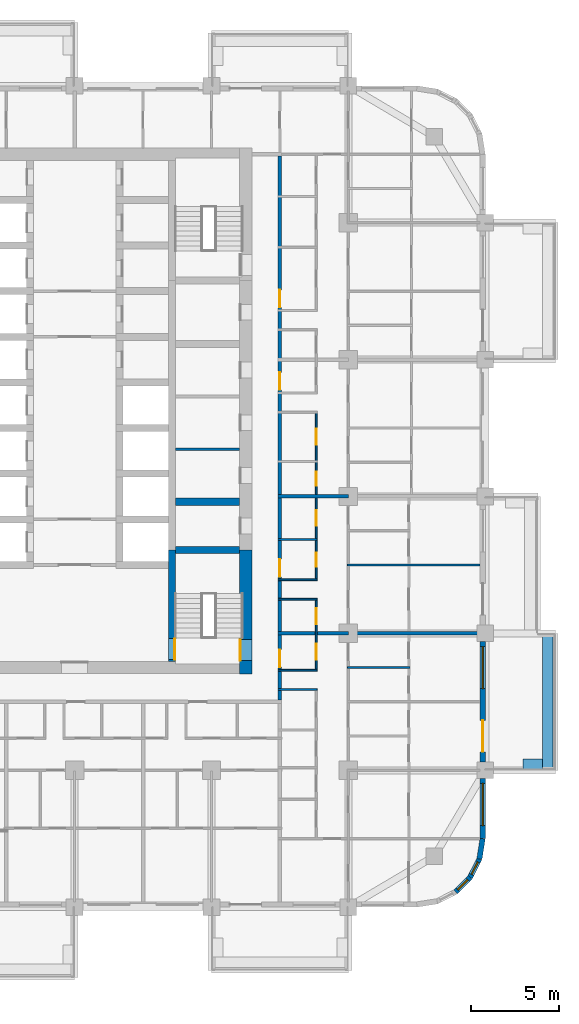
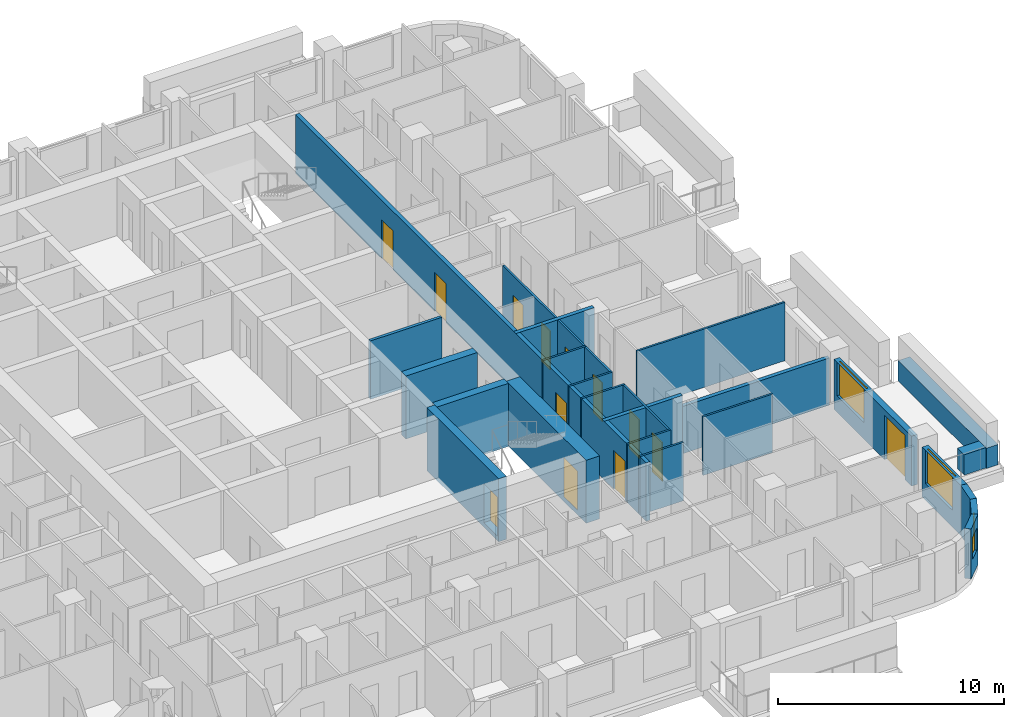
# One storey, part 8 of 18: 25 walls, 13 doors, 4 windows, 17 openings.
"""IFC4 building model written with IfcOpenShell, lengths in metres."""

from ifc_helpers import new_model, si_unit, direction, frame, frame_2d, origin, place, context, subcontext, project, spatial, rectangle, extrude, material, layer, layer_set, type_object, element, fill, save


model = new_model("IFC4")

# Units and contexts
model_context = context("Model", 3, precision=1e-05, world=origin(), true_north=direction((0.0, 1.0)))
body_context = subcontext(model_context, "Body", "Model", "MODEL_VIEW")
ifc_project = project(units=[si_unit("LENGTHUNIT", "METRE"), si_unit("AREAUNIT", "SQUARE_METRE"), si_unit("VOLUMEUNIT", "CUBIC_METRE"), si_unit("PLANEANGLEUNIT", "RADIAN"), si_unit("MASSUNIT", "GRAM", prefix="KILO")], contexts=[model_context])

# Site, building, storey
site_placement = place(None, origin())
site = spatial("IfcSite", under=ifc_project, at=site_placement, CompositionType="ELEMENT")
building_placement = place(site_placement, origin())
building = spatial("IfcBuilding", under=site, at=building_placement, Name="Ludao Terraces", CompositionType="ELEMENT")
storey_placement = place(building_placement, frame((0.0, 0.0, 64.800048828125)))
storey = spatial("IfcBuildingStorey", under=building, at=storey_placement, Name="L17", CompositionType="ELEMENT", Elevation=64.800048828125)

# Wall, opening, door
ifc_material_1 = material(Name="Concrete C70", Category="concrete")
ifc_layer_1 = layer(ifc_material_1, 0.699951171875)
ifc_layer_set_1 = layer_set([ifc_layer_1], Name="Core wall 700 C70")
wall_type_1 = type_object("IfcWallType", Name="Core wall 700 C70", PredefinedType="SOLIDWALL", material=ifc_layer_set_1)
wall_1_placement = place(storey_placement, frame((94.75, 54.89990234375, -0.25), z_axis=(0.0, 0.0, 1.0), x_axis=(0.0, 1.0, 0.0)))
wall_1 = element("IfcWall", 1, at=wall_1_placement, inside=storey, type_object=wall_type_1, Name="Core wall L17 outer-E-S3", PredefinedType="SOLIDWALL", context=body_context, shape_type="SweptSolid", body=[
    extrude(rectangle(XDim=7.050048828125, YDim=0.699951171875, at=frame_2d((3.52490234375, 0.0))), origin(), (0.0, 0.0, 1.0), 3.39990234375),
])
opening_1_placement = place(wall_1_placement, frame((0.75, 0.0, 0.25)))
opening_1 = element("IfcOpeningElement", 2, at=opening_1_placement, cuts=wall_1, Name="Opening R05-062", PredefinedType="OPENING", context=body_context, shape_type="SweptSolid", body=[
    extrude(rectangle(XDim=1.199951171875, YDim=2.10009765625, at=frame_2d((0.60009765625, 1.050048828125))), frame((0.0, 0.35986328125, 0.0), z_axis=(0.0, -1.0, 0.0), x_axis=(1.0, 0.0, 0.0)), (0.0, 0.0, 1.0), 0.719970703125),
])
ifc_material_2 = material(Name="Steel Q235", Category="steel")
door_type_1 = type_object("IfcDoorType", Name="INT Stair door 1200", OperationType="DOUBLE_DOOR_SINGLE_SWING", PredefinedType="DOOR", material=ifc_material_2)
door_1_placement = place(opening_1_placement, origin())
door_1 = element("IfcDoor", 3, at=door_1_placement, inside=storey, type_object=door_type_1, Name="DOOR 062", OperationType="DOUBLE_DOOR_SINGLE_SWING", OverallHeight=2.10009765625, OverallWidth=1.199951171875, PredefinedType="DOOR", context=body_context, shape_type="SweptSolid", body=[
    extrude(rectangle(XDim=1.199951171875, YDim=2.10009765625, at=frame_2d((0.60009765625, 1.050048828125))), frame((0.0, 0.3349609375, 0.0), z_axis=(0.0, -1.0, 0.0), x_axis=(1.0, 0.0, 0.0)), (0.0, 0.0, 1.0), 0.050048828125),
])
fill(opening_1, door_1)

# Walls
ifc_material_3 = material(Name="Concrete C40", Category="concrete")
ifc_layer_2 = layer(ifc_material_3, 0.60009765625)
ifc_layer_set_2 = layer_set([ifc_layer_2], Name="ENV Planter trough 600")
wall_type_2 = type_object("IfcWallType", Name="ENV Planter trough 600", PredefinedType="USERDEFINED", material=ifc_layer_set_2)
wall_2_placement = place(storey_placement, frame((111.949951171875, 49.39990234375, 0.0), z_axis=(0.0, 0.0, 1.0), x_axis=(0.0, 1.0, 0.0)))
element("IfcWall", 4, at=wall_2_placement, inside=storey, type_object=wall_type_2, Name="PL-L17-E1", ObjectType="PLANTER", PredefinedType="USERDEFINED", context=body_context, shape_type="SweptSolid", body=[
    extrude(rectangle(XDim=7.800048828125, YDim=0.60009765625, at=frame_2d((3.89990234375, 0.0))), origin(), (0.0, 0.0, 1.0), 1.099853515625),
])
wall_3_placement = place(storey_placement, frame((111.64990234375, 49.75, 0.0), z_axis=(0.0, 0.0, 1.0), x_axis=(-1.0, 0.0, 0.0)))
element("IfcWall", 5, at=wall_3_placement, inside=storey, type_object=wall_type_2, Name="PL-L17-E1-SA", ObjectType="PLANTER", PredefinedType="USERDEFINED", context=body_context, shape_type="SweptSolid", body=[
    extrude(rectangle(XDim=1.099853515625, YDim=0.60009765625, at=frame_2d((0.5498046875, 0.0))), origin(), (0.0, 0.0, 1.0), 1.099853515625),
])

# Wall, opening, window
ifc_material_4 = material(Name="Granite cladding", Category="masonry")
ifc_layer_3 = layer(ifc_material_4, 0.0400390625, Category="stone")
ifc_material_5 = material(Name="Mineral wool")
ifc_layer_4 = layer(ifc_material_5, 0.06005859375)
ifc_layer_5 = layer(ifc_material_3, 0.199951171875, Category="concrete")
ifc_layer_set_3 = layer_set([ifc_layer_3, ifc_layer_4, ifc_layer_5], Name="ENV Stone-clad wall 300")
wall_type_3 = type_object("IfcWallType", Name="ENV Stone-clad wall 300", PredefinedType="SOLIDWALL", material=ifc_layer_set_3)
wall_4_placement = place(storey_placement, frame((108.25, 45.5, 0.0), z_axis=(0.0, 0.0, 1.0), x_axis=(0.0, 1.0, 0.0)))
wall_4 = element("IfcWall", 6, at=wall_4_placement, inside=storey, type_object=wall_type_3, Name="EW-L17-E1", PredefinedType="SOLIDWALL", context=body_context, shape_type="SweptSolid", body=[
    extrude(rectangle(XDim=3.425048828125, YDim=0.300048828125, at=frame_2d((1.71240234375, 0.0))), origin(), (0.0, 0.0, 1.0), 2.699951171875),
])
opening_2_placement = place(wall_4_placement, frame((0.75, 0.0, 0.89990234375)))
opening_2 = element("IfcOpeningElement", 7, at=opening_2_placement, cuts=wall_4, Name="Opening W1", PredefinedType="OPENING", context=body_context, shape_type="SweptSolid", body=[
    extrude(rectangle(XDim=2.39990234375, YDim=1.800048828125, at=frame_2d((1.199951171875, 0.89990234375))), frame((0.0, 0.16015625, 0.0), z_axis=(0.0, -1.0, 0.0), x_axis=(1.0, 0.0, 0.0)), (0.0, 0.0, 1.0), 0.320068359375),
])
ifc_material_6 = material(Name="Clear glass in aluminium frame", Category="aluminium")
ifc_layer_6 = layer(ifc_material_6, 0.06005859375)
ifc_layer_set_4 = layer_set([ifc_layer_6], Name="ENV Window W1 2400x1800")
window_type_1 = type_object("IfcWindowType", Name="ENV Window W1 2400x1800", PartitioningType="DOUBLE_PANEL_VERTICAL", PredefinedType="WINDOW", material=ifc_layer_set_4)
window_1_placement = place(opening_2_placement, origin())
window_1 = element("IfcWindow", 8, at=window_1_placement, inside=storey, type_object=window_type_1, Name="W-L17-E1-1", OverallHeight=1.800048828125, OverallWidth=2.39990234375, PartitioningType="DOUBLE_PANEL_VERTICAL", PredefinedType="WINDOW", context=body_context, shape_type="SweptSolid", body=[
    extrude(rectangle(XDim=2.39990234375, YDim=1.800048828125, at=frame_2d((1.199951171875, 0.89990234375))), frame((0.0, 0.030029296875, 0.0), z_axis=(0.0, -1.0, 0.0), x_axis=(1.0, 0.0, 0.0)), (0.0, 0.0, 1.0), 0.06005859375),
])
fill(opening_2, window_1)

# Wall, openings, door, window
wall_5_placement = place(storey_placement, frame((108.25, 49.875, 0.0), z_axis=(0.0, 0.0, 1.0), x_axis=(0.0, 1.0, 0.0)))
wall_5 = element("IfcWall", 9, at=wall_5_placement, inside=storey, type_object=wall_type_3, Name="EW-L17-E2", PredefinedType="SOLIDWALL", context=body_context, shape_type="SweptSolid", body=[
    extrude(rectangle(XDim=6.85009765625, YDim=0.300048828125, at=frame_2d((3.425048828125, 0.0))), origin(), (0.0, 0.0, 1.0), 2.699951171875),
])
opening_3_placement = place(wall_5_placement, frame((0.574951171875, 0.0, 0.0)))
opening_3 = element("IfcOpeningElement", 10, at=opening_3_placement, cuts=wall_5, Name="Opening BD", PredefinedType="OPENING", context=body_context, shape_type="SweptSolid", body=[
    extrude(rectangle(XDim=1.800048828125, YDim=2.39990234375, at=frame_2d((0.89990234375, 1.199951171875))), frame((0.0, 0.16015625, 0.0), z_axis=(0.0, -1.0, 0.0), x_axis=(1.0, 0.0, 0.0)), (0.0, 0.0, 1.0), 0.320068359375),
])
opening_4_placement = place(wall_5_placement, frame((4.175048828125, 0.0, 0.89990234375)))
opening_4 = element("IfcOpeningElement", 11, at=opening_4_placement, cuts=wall_5, Name="Opening W1", PredefinedType="OPENING", context=body_context, shape_type="SweptSolid", body=[
    extrude(rectangle(XDim=2.39990234375, YDim=1.800048828125, at=frame_2d((1.199951171875, 0.89990234375))), frame((0.0, 0.16015625, 0.0), z_axis=(0.0, -1.0, 0.0), x_axis=(1.0, 0.0, 0.0)), (0.0, 0.0, 1.0), 0.320068359375),
])
ifc_material_7 = material(Name="Aluminium glazed door", Category="aluminium")
ifc_layer_7 = layer(ifc_material_7, 0.06005859375)
ifc_layer_set_5 = layer_set([ifc_layer_7], Name="ENV Balcony door BD 1800x2400")
door_type_2 = type_object("IfcDoorType", Name="ENV Balcony door BD 1800x2400", OperationType="DOUBLE_DOOR_SINGLE_SWING", PredefinedType="DOOR", material=ifc_layer_set_5)
door_2_placement = place(opening_3_placement, origin())
door_2 = element("IfcDoor", 12, at=door_2_placement, inside=storey, type_object=door_type_2, Name="BD-L17-E2-1", OperationType="DOUBLE_DOOR_SINGLE_SWING", OverallHeight=2.39990234375, OverallWidth=1.800048828125, PredefinedType="DOOR", context=body_context, shape_type="SweptSolid", body=[
    extrude(rectangle(XDim=1.800048828125, YDim=2.39990234375, at=frame_2d((0.89990234375, 1.199951171875))), frame((0.0, 0.02490234375, 0.0), z_axis=(0.0, -1.0, 0.0), x_axis=(1.0, 0.0, 0.0)), (0.0, 0.0, 1.0), 0.050048828125),
])
fill(opening_3, door_2)
window_2_placement = place(opening_4_placement, origin())
window_2 = element("IfcWindow", 13, at=window_2_placement, inside=storey, type_object=window_type_1, Name="W-L17-E2-2", OverallHeight=1.800048828125, OverallWidth=2.39990234375, PartitioningType="DOUBLE_PANEL_VERTICAL", PredefinedType="WINDOW", context=body_context, shape_type="SweptSolid", body=[
    extrude(rectangle(XDim=2.39990234375, YDim=1.800048828125, at=frame_2d((1.199951171875, 0.89990234375))), frame((0.0, 0.030029296875, 0.0), z_axis=(0.0, -1.0, 0.0), x_axis=(1.0, 0.0, 0.0)), (0.0, 0.0, 1.0), 0.06005859375),
])
fill(opening_4, window_2)

# Wall, opening, window
wall_6_placement = place(storey_placement, frame((106.7041015625, 42.46630859375, 0.0), z_axis=(0.0, 0.0, 1.0), x_axis=(0.707106781187, 0.707106781187, 0.0)))
wall_6 = element("IfcWall", 14, at=wall_6_placement, inside=storey, type_object=wall_type_3, Name="EW-L17-SE3", PredefinedType="SOLIDWALL", context=body_context, shape_type="SweptSolid", body=[
    extrude(rectangle(XDim=1.173095703125, YDim=0.300048828125, at=frame_2d((0.58642578125, 0.0))), origin(), (0.0, 0.0, 1.0), 2.699951171875),
])
opening_5_placement = place(wall_6_placement, frame((0.1865234375, 0.0, 0.89990234375)))
opening_5 = element("IfcOpeningElement", 15, at=opening_5_placement, cuts=wall_6, Name="Opening W3", PredefinedType="OPENING", context=body_context, shape_type="SweptSolid", body=[
    extrude(rectangle(XDim=0.800048828125, YDim=1.199951171875, at=frame_2d((0.39990234375, 0.60009765625))), frame((0.0, 0.16015625, 0.0), z_axis=(0.0, -1.0, 0.0), x_axis=(1.0, 0.0, 0.0)), (0.0, 0.0, 1.0), 0.320068359375),
])
ifc_layer_8 = layer(ifc_material_6, 0.06005859375)
ifc_layer_set_6 = layer_set([ifc_layer_8], Name="ENV Window W3 800x1200")
window_type_2 = type_object("IfcWindowType", Name="ENV Window W3 800x1200", PartitioningType="SINGLE_PANEL", PredefinedType="WINDOW", material=ifc_layer_set_6)
window_3_placement = place(opening_5_placement, origin())
window_3 = element("IfcWindow", 16, at=window_3_placement, inside=storey, type_object=window_type_2, Name="W-L17-SE3", OverallHeight=1.199951171875, OverallWidth=0.800048828125, PartitioningType="SINGLE_PANEL", PredefinedType="WINDOW", context=body_context, shape_type="SweptSolid", body=[
    extrude(rectangle(XDim=0.800048828125, YDim=1.199951171875, at=frame_2d((0.39990234375, 0.60009765625))), frame((0.0, 0.030029296875, 0.0), z_axis=(0.0, -1.0, 0.0), x_axis=(1.0, 0.0, 0.0)), (0.0, 0.0, 1.0), 0.06005859375),
])
fill(opening_5, window_3)

wall_7_placement = place(storey_placement, frame((107.53369140625, 43.2958984375, 0.0), z_axis=(0.0, 0.0, 1.0), x_axis=(0.454025524128, 0.890988677504, 0.0)))
wall_7 = element("IfcWall", 17, at=wall_7_placement, inside=storey, type_object=wall_type_3, Name="EW-L17-SE4", PredefinedType="SOLIDWALL", context=body_context, shape_type="SweptSolid", body=[
    extrude(rectangle(XDim=1.17333984375, YDim=0.300048828125, at=frame_2d((0.586669921875, 0.0))), origin(), (0.0, 0.0, 1.0), 2.699951171875),
])
opening_6_placement = place(wall_7_placement, frame((0.1865234375, 0.0, 0.89990234375)))
opening_6 = element("IfcOpeningElement", 18, at=opening_6_placement, cuts=wall_7, Name="Opening W3", PredefinedType="OPENING", context=body_context, shape_type="SweptSolid", body=[
    extrude(rectangle(XDim=0.800048828125, YDim=1.199951171875, at=frame_2d((0.39990234375, 0.60009765625))), frame((0.0, 0.16015625, 0.0), z_axis=(0.0, -1.0, 0.0), x_axis=(1.0, 0.0, 0.0)), (0.0, 0.0, 1.0), 0.320068359375),
])
window_4_placement = place(opening_6_placement, origin())
window_4 = element("IfcWindow", 19, at=window_4_placement, inside=storey, type_object=window_type_2, Name="W-L17-SE4", OverallHeight=1.199951171875, OverallWidth=0.800048828125, PartitioningType="SINGLE_PANEL", PredefinedType="WINDOW", context=body_context, shape_type="SweptSolid", body=[
    extrude(rectangle(XDim=0.800048828125, YDim=1.199951171875, at=frame_2d((0.39990234375, 0.60009765625))), frame((0.0, 0.030029296875, 0.0), z_axis=(0.0, -1.0, 0.0), x_axis=(1.0, 0.0, 0.0)), (0.0, 0.0, 1.0), 0.06005859375),
])
fill(opening_6, window_4)

# Walls
wall_8_placement = place(storey_placement, frame((108.06640625, 44.34130859375, 0.0), z_axis=(0.0, 0.0, 1.0), x_axis=(0.156496880861, 0.987678452879, 0.0)))
element("IfcWall", 20, at=wall_8_placement, inside=storey, type_object=wall_type_3, Name="EW-L17-SE5", PredefinedType="SOLIDWALL", context=body_context, shape_type="SweptSolid", body=[
    extrude(rectangle(XDim=1.173095703125, YDim=0.300048828125, at=frame_2d((0.58642578125, 0.0))), origin(), (0.0, 0.0, 1.0), 2.699951171875),
])
ifc_material_8 = material(Name="Fire-rated gypsum plasterboard", Category="gypsum")
ifc_layer_9 = layer(ifc_material_8, 0.012451171875, Category="gypsum")
ifc_layer_10 = layer(ifc_material_5, 0.10009765625, Name="insulation")
ifc_layer_11 = layer(ifc_material_2, 0.02490234375, Name="stud")
ifc_layer_12 = layer(ifc_material_8, 0.012451171875, Category="gypsum")
ifc_layer_set_7 = layer_set([ifc_layer_9, ifc_layer_10, ifc_layer_11, ifc_layer_12], Name="INT Core partition 150")
wall_type_4 = type_object("IfcWallType", Name="INT Core partition 150", PredefinedType="PARTITIONING", material=ifc_layer_set_7)
wall_9_placement = place(storey_placement, frame((90.75, 67.699951171875, 0.0), z_axis=(0.0, 0.0, 1.0), x_axis=(1.0, 0.0, 0.0)))
element("IfcWall", 21, at=wall_9_placement, inside=storey, type_object=wall_type_4, Name="PW-L17-PW048", PredefinedType="PARTITIONING", context=body_context, shape_type="SweptSolid", body=[
    extrude(rectangle(XDim=3.650146484375, YDim=0.14990234375, at=frame_2d((1.8251953125, 0.0))), origin(), (0.0, 0.0, 1.0), 3.14990234375),
])

# Wall, openings, doors
ifc_material_9 = material(Name="Autoclaved aerated concrete block B06 A3.5", Category="concrete")
ifc_layer_13 = layer(ifc_material_9, 0.199951171875)
ifc_layer_set_8 = layer_set([ifc_layer_13], Name="INT Entrance wall 200")
wall_type_5 = type_object("IfcWallType", Name="INT Entrance wall 200", PredefinedType="PARTITIONING", material=ifc_layer_set_8)
wall_10_placement = place(storey_placement, frame((96.699951171875, 53.400146484375, 0.0), z_axis=(0.0, 0.0, 1.0), x_axis=(0.0, 1.0, 0.0)))
wall_10 = element("IfcWall", 22, at=wall_10_placement, inside=storey, type_object=wall_type_5, Name="PW-L17-PW118", PredefinedType="PARTITIONING", context=body_context, shape_type="SweptSolid", body=[
    extrude(rectangle(XDim=31.0, YDim=0.199951171875, at=frame_2d((15.5, 0.0))), origin(), (0.0, 0.0, 1.0), 3.14990234375),
])
opening_7_placement = place(wall_10_placement, frame((1.875, 0.0, 0.0)))
opening_7 = element("IfcOpeningElement", 23, at=opening_7_placement, cuts=wall_10, Name="Opening R05-055", PredefinedType="OPENING", context=body_context, shape_type="SweptSolid", body=[
    extrude(rectangle(XDim=1.0, YDim=2.10009765625, at=frame_2d((0.5, 1.050048828125))), frame((0.0, 0.10986328125, 0.0), z_axis=(0.0, -1.0, 0.0), x_axis=(1.0, 0.0, 0.0)), (0.0, 0.0, 1.0), 0.219970703125),
])
opening_8_placement = place(wall_10_placement, frame((7.02490234375, 0.0, 0.0)))
opening_8 = element("IfcOpeningElement", 24, at=opening_8_placement, cuts=wall_10, Name="Opening R05-072", PredefinedType="OPENING", context=body_context, shape_type="SweptSolid", body=[
    extrude(rectangle(XDim=1.0, YDim=2.10009765625, at=frame_2d((0.5, 1.050048828125))), frame((0.0, 0.10986328125, 0.0), z_axis=(0.0, -1.0, 0.0), x_axis=(1.0, 0.0, 0.0)), (0.0, 0.0, 1.0), 0.219970703125),
])
opening_9_placement = place(wall_10_placement, frame((17.675048828125, 0.0, 0.0)))
opening_9 = element("IfcOpeningElement", 25, at=opening_9_placement, cuts=wall_10, Name="Opening R05-108", PredefinedType="OPENING", context=body_context, shape_type="SweptSolid", body=[
    extrude(rectangle(XDim=1.0, YDim=2.10009765625, at=frame_2d((0.5, 1.050048828125))), frame((0.0, 0.10986328125, 0.0), z_axis=(0.0, -1.0, 0.0), x_axis=(1.0, 0.0, 0.0)), (0.0, 0.0, 1.0), 0.219970703125),
])
opening_10_placement = place(wall_10_placement, frame((22.375, 0.0, 0.0)))
opening_10 = element("IfcOpeningElement", 26, at=opening_10_placement, cuts=wall_10, Name="Opening R05-129", PredefinedType="OPENING", context=body_context, shape_type="SweptSolid", body=[
    extrude(rectangle(XDim=1.0, YDim=2.10009765625, at=frame_2d((0.5, 1.050048828125))), frame((0.0, 0.10986328125, 0.0), z_axis=(0.0, -1.0, 0.0), x_axis=(1.0, 0.0, 0.0)), (0.0, 0.0, 1.0), 0.219970703125),
])
door_type_3 = type_object("IfcDoorType", Name="INT Flat entrance door 1000", OperationType="SINGLE_SWING_LEFT", PredefinedType="DOOR", material=ifc_material_2)
door_3_placement = place(opening_7_placement, origin())
door_3 = element("IfcDoor", 27, at=door_3_placement, inside=storey, type_object=door_type_3, Name="DOOR 055", OperationType="SINGLE_SWING_LEFT", OverallHeight=2.10009765625, OverallWidth=1.0, PredefinedType="DOOR", context=body_context, shape_type="SweptSolid", body=[
    extrude(rectangle(XDim=1.0, YDim=2.10009765625, at=frame_2d((0.5, 1.050048828125))), frame((0.0, 0.02490234375, 0.0), z_axis=(0.0, -1.0, 0.0), x_axis=(1.0, 0.0, 0.0)), (0.0, 0.0, 1.0), 0.050048828125),
])
fill(opening_7, door_3)
door_4_placement = place(opening_8_placement, origin())
door_4 = element("IfcDoor", 28, at=door_4_placement, inside=storey, type_object=door_type_3, Name="DOOR 072", OperationType="SINGLE_SWING_LEFT", OverallHeight=2.10009765625, OverallWidth=1.0, PredefinedType="DOOR", context=body_context, shape_type="SweptSolid", body=[
    extrude(rectangle(XDim=1.0, YDim=2.10009765625, at=frame_2d((0.5, 1.050048828125))), frame((0.0, 0.02490234375, 0.0), z_axis=(0.0, -1.0, 0.0), x_axis=(1.0, 0.0, 0.0)), (0.0, 0.0, 1.0), 0.050048828125),
])
fill(opening_8, door_4)
door_5_placement = place(opening_9_placement, origin())
door_5 = element("IfcDoor", 29, at=door_5_placement, inside=storey, type_object=door_type_3, Name="DOOR 108", OperationType="SINGLE_SWING_LEFT", OverallHeight=2.10009765625, OverallWidth=1.0, PredefinedType="DOOR", context=body_context, shape_type="SweptSolid", body=[
    extrude(rectangle(XDim=1.0, YDim=2.10009765625, at=frame_2d((0.5, 1.050048828125))), frame((0.0, 0.02490234375, 0.0), z_axis=(0.0, -1.0, 0.0), x_axis=(1.0, 0.0, 0.0)), (0.0, 0.0, 1.0), 0.050048828125),
])
fill(opening_9, door_5)
door_6_placement = place(opening_10_placement, origin())
door_6 = element("IfcDoor", 30, at=door_6_placement, inside=storey, type_object=door_type_3, Name="DOOR 129", OperationType="SINGLE_SWING_LEFT", OverallHeight=2.10009765625, OverallWidth=1.0, PredefinedType="DOOR", context=body_context, shape_type="SweptSolid", body=[
    extrude(rectangle(XDim=1.0, YDim=2.10009765625, at=frame_2d((0.5, 1.050048828125))), frame((0.0, 0.02490234375, 0.0), z_axis=(0.0, -1.0, 0.0), x_axis=(1.0, 0.0, 0.0)), (0.0, 0.0, 1.0), 0.050048828125),
])
fill(opening_10, door_6)

# Walls
ifc_material_10 = material(Name="Gypsum plasterboard", Category="gypsum")
ifc_layer_14 = layer(ifc_material_10, 0.012451171875, Category="gypsum")
ifc_layer_15 = layer(ifc_material_5, 0.06005859375, Name="insulation")
ifc_layer_16 = layer(ifc_material_2, 0.014892578125, Name="stud")
ifc_layer_17 = layer(ifc_material_10, 0.012451171875, Category="gypsum")
ifc_layer_set_9 = layer_set([ifc_layer_14, ifc_layer_15, ifc_layer_16, ifc_layer_17], Name="INT Partition 100")
wall_type_6 = type_object("IfcWallType", Name="INT Partition 100", PredefinedType="PARTITIONING", material=ifc_layer_set_9)
for number, where, z_axis, x_axis, name in (
    (31, (96.60009765625, 54.0, 0.0), (0.0, 0.0, 1.0), (1.0, 0.0, 0.0), "PW-L17-PW021"),
    (32, (96.60009765625, 55.10009765625, 0.0), (0.0, 0.0, 1.0), (1.0, 0.0, 0.0), "PW-L17-PW023"),
):
    element("IfcWall", number, at=place(storey_placement, frame(where, z_axis=z_axis, x_axis=x_axis)), inside=storey, type_object=wall_type_6, Name=name, PredefinedType="PARTITIONING", context=body_context, shape_type="SweptSolid", body=[
        extrude(rectangle(XDim=2.219970703125, YDim=0.10009765625, at=frame_2d((1.10986328125, 0.0))), origin(), (0.0, 0.0, 1.0), 3.14990234375),
    ])
wall_11_placement = place(storey_placement, frame((100.550048828125, 55.25, 0.0), z_axis=(0.0, 0.0, 1.0), x_axis=(1.0, 0.0, 0.0)))
element("IfcWall", 33, at=wall_11_placement, inside=storey, type_object=wall_type_6, Name="PW-L17-PW025", PredefinedType="PARTITIONING", context=body_context, shape_type="SweptSolid", body=[
    extrude(rectangle(XDim=3.550048828125, YDim=0.10009765625, at=frame_2d((1.77490234375, 0.0))), origin(), (0.0, 0.0, 1.0), 3.14990234375),
])
for number, where, z_axis, x_axis, name in (
    (34, (96.60009765625, 59.14990234375, 0.0), (0.0, 0.0, 1.0), (1.0, 0.0, 0.0), "PW-L17-PW031"),
    (35, (96.60009765625, 60.25, 0.0), (0.0, 0.0, 1.0), (1.0, 0.0, 0.0), "PW-L17-PW032"),
):
    element("IfcWall", number, at=place(storey_placement, frame(where, z_axis=z_axis, x_axis=x_axis)), inside=storey, type_object=wall_type_6, Name=name, PredefinedType="PARTITIONING", context=body_context, shape_type="SweptSolid", body=[
        extrude(rectangle(XDim=2.219970703125, YDim=0.10009765625, at=frame_2d((1.10986328125, 0.0))), origin(), (0.0, 0.0, 1.0), 3.14990234375),
    ])
wall_12_placement = place(storey_placement, frame((100.550048828125, 61.10009765625, 0.0), z_axis=(0.0, 0.0, 1.0), x_axis=(1.0, 0.0, 0.0)))
element("IfcWall", 36, at=wall_12_placement, inside=storey, type_object=wall_type_6, Name="PW-L17-PW035", PredefinedType="PARTITIONING", context=body_context, shape_type="SweptSolid", body=[
    extrude(rectangle(XDim=7.550048828125, YDim=0.10009765625, at=frame_2d((3.77490234375, 0.0))), origin(), (0.0, 0.0, 1.0), 3.14990234375),
])
wall_13_placement = place(storey_placement, frame((96.60009765625, 62.550048828125, 0.0), z_axis=(0.0, 0.0, 1.0), x_axis=(1.0, 0.0, 0.0)))
element("IfcWall", 37, at=wall_13_placement, inside=storey, type_object=wall_type_6, Name="PW-L17-PW036", PredefinedType="PARTITIONING", context=body_context, shape_type="SweptSolid", body=[
    extrude(rectangle(XDim=2.219970703125, YDim=0.10009765625, at=frame_2d((1.10986328125, 0.0))), origin(), (0.0, 0.0, 1.0), 3.14990234375),
])

# Wall, openings, doors
wall_14_placement = place(storey_placement, frame((98.77001953125, 55.150146484375, 0.0), z_axis=(0.0, 0.0, 1.0), x_axis=(0.0, 1.0, 0.0)))
wall_14 = element("IfcWall", 38, at=wall_14_placement, inside=storey, type_object=wall_type_6, Name="PW-L17-PW121", PredefinedType="PARTITIONING", context=body_context, shape_type="SweptSolid", body=[
    extrude(rectangle(XDim=3.949951171875, YDim=0.10009765625, at=frame_2d((1.97509765625, 0.0))), origin(), (0.0, 0.0, 1.0), 3.14990234375),
])
opening_11_placement = place(wall_14_placement, frame((0.550048828125, 0.0, 0.0)))
opening_11 = element("IfcOpeningElement", 39, at=opening_11_placement, cuts=wall_14, Name="Opening R05-059", PredefinedType="OPENING", context=body_context, shape_type="SweptSolid", body=[
    extrude(rectangle(XDim=0.89990234375, YDim=2.10009765625, at=frame_2d((0.449951171875, 1.050048828125))), frame((0.0, 0.06005859375, 0.0), z_axis=(0.0, -1.0, 0.0), x_axis=(1.0, 0.0, 0.0)), (0.0, 0.0, 1.0), 0.1201171875),
])
opening_12_placement = place(wall_14_placement, frame((2.574951171875, 0.0, 0.0)))
opening_12 = element("IfcOpeningElement", 40, at=opening_12_placement, cuts=wall_14, Name="Opening R05-066", PredefinedType="OPENING", context=body_context, shape_type="SweptSolid", body=[
    extrude(rectangle(XDim=0.89990234375, YDim=2.10009765625, at=frame_2d((0.449951171875, 1.050048828125))), frame((0.0, 0.06005859375, 0.0), z_axis=(0.0, -1.0, 0.0), x_axis=(1.0, 0.0, 0.0)), (0.0, 0.0, 1.0), 0.1201171875),
])
ifc_material_11 = material(Name="Timber door leaf", Category="wood")
door_type_4 = type_object("IfcDoorType", Name="INT Room door 900", OperationType="SINGLE_SWING_LEFT", PredefinedType="DOOR", material=ifc_material_11)
door_7_placement = place(opening_11_placement, origin())
door_7 = element("IfcDoor", 41, at=door_7_placement, inside=storey, type_object=door_type_4, Name="DOOR 059", OperationType="SINGLE_SWING_LEFT", OverallHeight=2.10009765625, OverallWidth=0.89990234375, PredefinedType="DOOR", context=body_context, shape_type="SweptSolid", body=[
    extrude(rectangle(XDim=0.89990234375, YDim=2.10009765625, at=frame_2d((0.449951171875, 1.050048828125))), frame((0.0, 0.02490234375, 0.0), z_axis=(0.0, -1.0, 0.0), x_axis=(1.0, 0.0, 0.0)), (0.0, 0.0, 1.0), 0.050048828125),
])
fill(opening_11, door_7)
door_8_placement = place(opening_12_placement, origin())
door_8 = element("IfcDoor", 42, at=door_8_placement, inside=storey, type_object=door_type_4, Name="DOOR 066", OperationType="SINGLE_SWING_LEFT", OverallHeight=2.10009765625, OverallWidth=0.89990234375, PredefinedType="DOOR", context=body_context, shape_type="SweptSolid", body=[
    extrude(rectangle(XDim=0.89990234375, YDim=2.10009765625, at=frame_2d((0.449951171875, 1.050048828125))), frame((0.0, 0.02490234375, 0.0), z_axis=(0.0, -1.0, 0.0), x_axis=(1.0, 0.0, 0.0)), (0.0, 0.0, 1.0), 0.050048828125),
])
fill(opening_12, door_8)

wall_15_placement = place(storey_placement, frame((98.77001953125, 60.300048828125, 0.0), z_axis=(0.0, 0.0, 1.0), x_axis=(0.0, 1.0, 0.0)))
wall_15 = element("IfcWall", 43, at=wall_15_placement, inside=storey, type_object=wall_type_6, Name="PW-L17-PW122", PredefinedType="PARTITIONING", context=body_context, shape_type="SweptSolid", body=[
    extrude(rectangle(XDim=9.449951171875, YDim=0.10009765625, at=frame_2d((4.72509765625, 0.0))), origin(), (0.0, 0.0, 1.0), 3.14990234375),
])
opening_13_placement = place(wall_15_placement, frame((0.699951171875, 0.0, 0.0)))
opening_13 = element("IfcOpeningElement", 44, at=opening_13_placement, cuts=wall_15, Name="Opening R05-074", PredefinedType="OPENING", context=body_context, shape_type="SweptSolid", body=[
    extrude(rectangle(XDim=0.800048828125, YDim=2.10009765625, at=frame_2d((0.39990234375, 1.050048828125))), frame((0.0, 0.06005859375, 0.0), z_axis=(0.0, -1.0, 0.0), x_axis=(1.0, 0.0, 0.0)), (0.0, 0.0, 1.0), 0.1201171875),
])
opening_14_placement = place(wall_15_placement, frame((3.02490234375, 0.0, 0.0)))
opening_14 = element("IfcOpeningElement", 45, at=opening_14_placement, cuts=wall_15, Name="Opening R05-082", PredefinedType="OPENING", context=body_context, shape_type="SweptSolid", body=[
    extrude(rectangle(XDim=0.89990234375, YDim=2.10009765625, at=frame_2d((0.449951171875, 1.050048828125))), frame((0.0, 0.06005859375, 0.0), z_axis=(0.0, -1.0, 0.0), x_axis=(1.0, 0.0, 0.0)), (0.0, 0.0, 1.0), 0.1201171875),
])
opening_15_placement = place(wall_15_placement, frame((5.300048828125, 0.0, 0.0)))
opening_15 = element("IfcOpeningElement", 46, at=opening_15_placement, cuts=wall_15, Name="Opening R05-091", PredefinedType="OPENING", context=body_context, shape_type="SweptSolid", body=[
    extrude(rectangle(XDim=0.800048828125, YDim=2.10009765625, at=frame_2d((0.39990234375, 1.050048828125))), frame((0.0, 0.06005859375, 0.0), z_axis=(0.0, -1.0, 0.0), x_axis=(1.0, 0.0, 0.0)), (0.0, 0.0, 1.0), 0.1201171875),
])
opening_16_placement = place(wall_15_placement, frame((7.64990234375, 0.0, 0.0)))
opening_16 = element("IfcOpeningElement", 47, at=opening_16_placement, cuts=wall_15, Name="Opening R05-100", PredefinedType="OPENING", context=body_context, shape_type="SweptSolid", body=[
    extrude(rectangle(XDim=0.89990234375, YDim=2.10009765625, at=frame_2d((0.449951171875, 1.050048828125))), frame((0.0, 0.06005859375, 0.0), z_axis=(0.0, -1.0, 0.0), x_axis=(1.0, 0.0, 0.0)), (0.0, 0.0, 1.0), 0.1201171875),
])
door_type_5 = type_object("IfcDoorType", Name="INT Bathroom door 900", OperationType="SINGLE_SWING_LEFT", PredefinedType="DOOR", material=ifc_material_11)
door_9_placement = place(opening_14_placement, origin())
door_9 = element("IfcDoor", 48, at=door_9_placement, inside=storey, type_object=door_type_5, Name="DOOR 082", OperationType="SINGLE_SWING_RIGHT", OverallHeight=2.10009765625, OverallWidth=0.89990234375, PredefinedType="DOOR", context=body_context, shape_type="SweptSolid", body=[
    extrude(rectangle(XDim=0.89990234375, YDim=2.10009765625, at=frame_2d((0.449951171875, 1.050048828125))), frame((0.0, 0.02490234375, 0.0), z_axis=(0.0, -1.0, 0.0), x_axis=(1.0, 0.0, 0.0)), (0.0, 0.0, 1.0), 0.050048828125),
])
fill(opening_14, door_9)
door_10_placement = place(opening_16_placement, origin())
door_10 = element("IfcDoor", 49, at=door_10_placement, inside=storey, type_object=door_type_4, Name="DOOR 100", OperationType="SINGLE_SWING_RIGHT", OverallHeight=2.10009765625, OverallWidth=0.89990234375, PredefinedType="DOOR", context=body_context, shape_type="SweptSolid", body=[
    extrude(rectangle(XDim=0.89990234375, YDim=2.10009765625, at=frame_2d((0.449951171875, 1.050048828125))), frame((0.0, 0.02490234375, 0.0), z_axis=(0.0, -1.0, 0.0), x_axis=(1.0, 0.0, 0.0)), (0.0, 0.0, 1.0), 0.050048828125),
])
fill(opening_16, door_10)
door_type_6 = type_object("IfcDoorType", Name="INT Store door 800", OperationType="SINGLE_SWING_LEFT", PredefinedType="DOOR", material=ifc_material_11)
door_11_placement = place(opening_13_placement, origin())
door_11 = element("IfcDoor", 50, at=door_11_placement, inside=storey, type_object=door_type_6, Name="DOOR 074", OperationType="SINGLE_SWING_LEFT", OverallHeight=2.10009765625, OverallWidth=0.800048828125, PredefinedType="DOOR", context=body_context, shape_type="SweptSolid", body=[
    extrude(rectangle(XDim=0.800048828125, YDim=2.10009765625, at=frame_2d((0.39990234375, 1.050048828125))), frame((0.0, 0.02490234375, 0.0), z_axis=(0.0, -1.0, 0.0), x_axis=(1.0, 0.0, 0.0)), (0.0, 0.0, 1.0), 0.050048828125),
])
fill(opening_13, door_11)
door_12_placement = place(opening_15_placement, origin())
door_12 = element("IfcDoor", 51, at=door_12_placement, inside=storey, type_object=door_type_6, Name="DOOR 091", OperationType="SINGLE_SWING_LEFT", OverallHeight=2.10009765625, OverallWidth=0.800048828125, PredefinedType="DOOR", context=body_context, shape_type="SweptSolid", body=[
    extrude(rectangle(XDim=0.800048828125, YDim=2.10009765625, at=frame_2d((0.39990234375, 1.050048828125))), frame((0.0, 0.02490234375, 0.0), z_axis=(0.0, -1.0, 0.0), x_axis=(1.0, 0.0, 0.0)), (0.0, 0.0, 1.0), 0.050048828125),
])
fill(opening_15, door_12)

# Walls
ifc_layer_18 = layer(ifc_material_9, 0.199951171875)
ifc_layer_set_10 = layer_set([ifc_layer_18], Name="INT Party wall 200")
wall_type_7 = type_object("IfcWallType", Name="INT Party wall 200", PredefinedType="PARTITIONING", material=ifc_layer_set_10)
wall_16_placement = place(storey_placement, frame((96.60009765625, 57.199951171875, 0.0), z_axis=(0.0, 0.0, 1.0), x_axis=(1.0, 0.0, 0.0)))
element("IfcWall", 52, at=wall_16_placement, inside=storey, type_object=wall_type_7, Name="PW-L17-PW028", PredefinedType="PARTITIONING", context=body_context, shape_type="SweptSolid", body=[
    extrude(rectangle(XDim=4.0, YDim=0.199951171875, at=frame_2d((2.0, 0.0))), origin(), (0.0, 0.0, 1.0), 3.14990234375),
])
wall_17_placement = place(storey_placement, frame((100.60009765625, 57.199951171875, 0.0), z_axis=(0.0, 0.0, 1.0), x_axis=(1.0, 0.0, 0.0)))
element("IfcWall", 53, at=wall_17_placement, inside=storey, type_object=wall_type_7, Name="PW-L17-PW028-2", PredefinedType="PARTITIONING", context=body_context, shape_type="SweptSolid", body=[
    extrude(rectangle(XDim=7.5, YDim=0.199951171875, at=frame_2d((3.75, 0.0))), origin(), (0.0, 0.0, 1.0), 2.5498046875),
])
wall_18_placement = place(storey_placement, frame((96.60009765625, 65.0, 0.0), z_axis=(0.0, 0.0, 1.0), x_axis=(1.0, 0.0, 0.0)))
element("IfcWall", 54, at=wall_18_placement, inside=storey, type_object=wall_type_7, Name="PW-L17-PW043", PredefinedType="PARTITIONING", context=body_context, shape_type="SweptSolid", body=[
    extrude(rectangle(XDim=4.0, YDim=0.199951171875, at=frame_2d((2.0, 0.0))), origin(), (0.0, 0.0, 1.0), 3.14990234375),
])

# Wall, opening, door
ifc_material_12 = material(Name="Concrete C60", Category="concrete")
ifc_layer_19 = layer(ifc_material_12, 0.39990234375)
ifc_layer_set_11 = layer_set([ifc_layer_19], Name="Shaft wall 400 C60")
wall_type_8 = type_object("IfcWallType", Name="Shaft wall 400 C60", PredefinedType="SOLIDWALL", material=ifc_layer_set_11)
wall_19_placement = place(storey_placement, frame((90.550048828125, 55.60009765625, -0.25), z_axis=(0.0, 0.0, 1.0), x_axis=(0.0, 1.0, 0.0)))
wall_19 = element("IfcWall", 55, at=wall_19_placement, inside=storey, type_object=wall_type_8, Name="Core wall L17 back-E-S3", PredefinedType="SOLIDWALL", context=body_context, shape_type="SweptSolid", body=[
    extrude(rectangle(XDim=6.349853515625, YDim=0.39990234375, at=frame_2d((3.1748046875, 0.0))), origin(), (0.0, 0.0, 1.0), 3.39990234375),
])
opening_17_placement = place(wall_19_placement, frame((0.10009765625, 0.0, 0.25)))
opening_17 = element("IfcOpeningElement", 56, at=opening_17_placement, cuts=wall_19, Name="Opening R05-061", PredefinedType="OPENING", context=body_context, shape_type="SweptSolid", body=[
    extrude(rectangle(XDim=1.199951171875, YDim=2.10009765625, at=frame_2d((0.60009765625, 1.050048828125))), frame((0.0, 0.2099609375, 0.0), z_axis=(0.0, -1.0, 0.0), x_axis=(1.0, 0.0, 0.0)), (0.0, 0.0, 1.0), 0.419921875),
])
door_13_placement = place(opening_17_placement, origin())
door_13 = element("IfcDoor", 57, at=door_13_placement, inside=storey, type_object=door_type_1, Name="DOOR 061", OperationType="DOUBLE_DOOR_SINGLE_SWING", OverallHeight=2.10009765625, OverallWidth=1.199951171875, PredefinedType="DOOR", context=body_context, shape_type="SweptSolid", body=[
    extrude(rectangle(XDim=1.199951171875, YDim=2.10009765625, at=frame_2d((0.60009765625, 1.050048828125))), frame((0.0, -0.134765625, 0.0), z_axis=(0.0, -1.0, 0.0), x_axis=(1.0, 0.0, 0.0)), (0.0, 0.0, 1.0), 0.050048828125),
])
fill(opening_17, door_13)

# Walls
for number, where, z_axis, x_axis, name in (
    (58, (90.75, 61.949951171875, -0.25), (0.0, 0.0, 1.0), (1.0, 0.0, 0.0), "Core wall L17 hall-E"),
    (59, (90.75, 64.699951171875, -0.25), (0.0, 0.0, 1.0), (1.0, 0.0, 0.0), "Core wall L17 riser-a-E"),
):
    element("IfcWall", number, at=place(storey_placement, frame(where, z_axis=z_axis, x_axis=x_axis)), inside=storey, type_object=wall_type_8, Name=name, PredefinedType="SOLIDWALL", context=body_context, shape_type="SweptSolid", body=[
        extrude(rectangle(XDim=3.64990234375, YDim=0.39990234375, at=frame_2d((1.824951171875, 0.0))), origin(), (0.0, 0.0, 1.0), 3.39990234375),
    ])

save(model, "model.ifc")
